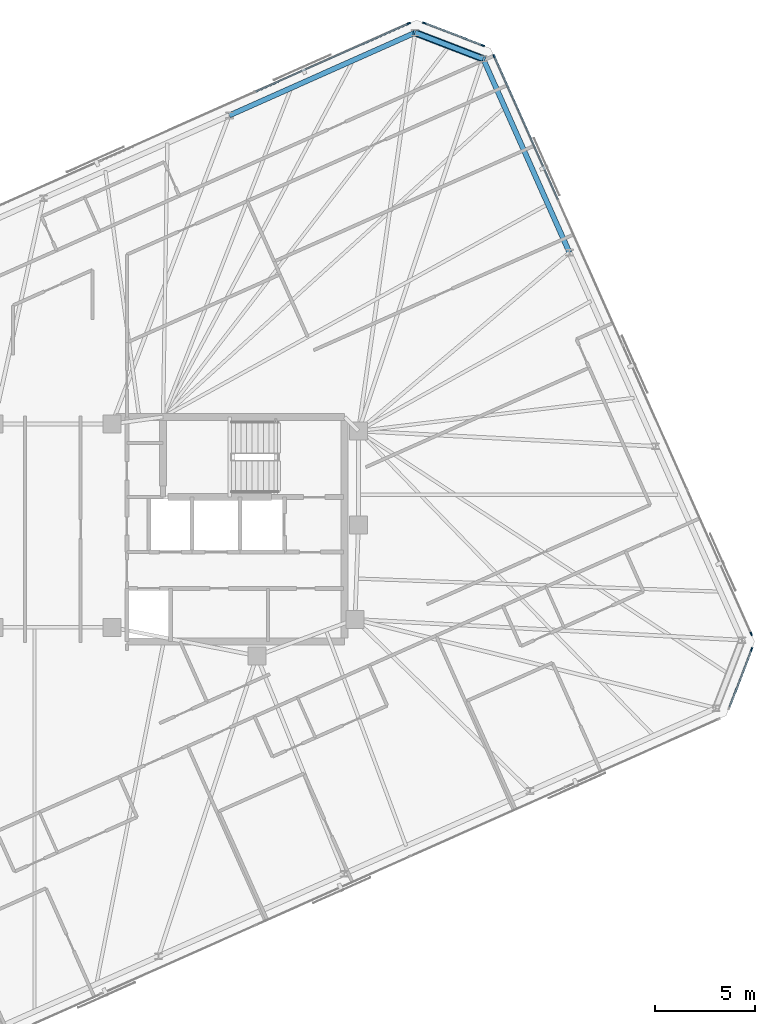
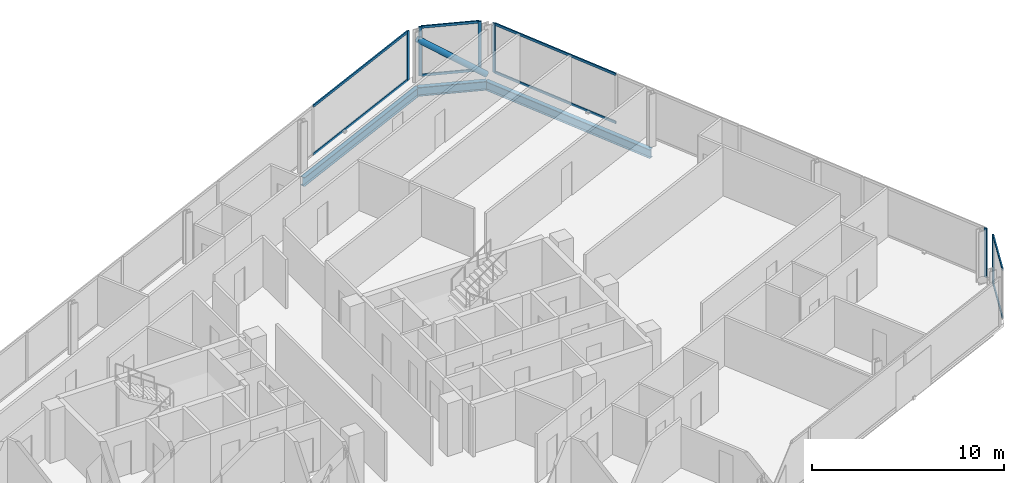
# One storey, part 11 of 19: 15 members, 3 beams, 4 elements without a shape of their own.
"""IFC4 building model written with IfcOpenShell, lengths in metres."""

import ifcopenshell
import ifcopenshell.guid

model = None  # the IFC model being written
_history = None  # IfcOwnerHistory: only IFC2X3 demands one
_inside = {}  # id of a spatial element -> (the spatial element, [elements in it])
_under = {}  # id of a project, library or spatial element -> (it, [spatial elements below it])
_declared = {}  # id of a project -> (the project, [libraries it declares])
_typed = {}  # id of a type object -> (the type object, [elements of that type])
_made_of = {}  # id of a material, layer set ... -> (it, [elements and type objects made of it])


def new_model(schema):
    """Start an empty IFC model of exactly this schema.

    Asked for "IFC4X3", IfcOpenShell would pick the latest addendum, in which some entities
    have other attributes; the version numbers below select the first issue.
    IFC2X3 requires an IfcOwnerHistory on every rooted entity: one is made here for all.
    """
    global model, _history
    if schema == "IFC4X3":
        model = ifcopenshell.file(schema_version=(4, 3, 0, 0))
    else:
        model = ifcopenshell.file(schema=schema)
    _inside.clear()
    _under.clear()
    _declared.clear()
    _typed.clear()
    _made_of.clear()
    _history = None
    if model.schema == "IFC2X3":
        org = make("IfcOrganization", Name="unknown")
        user = make(
            "IfcPersonAndOrganization",
            ThePerson=make("IfcPerson", FamilyName="unknown"),
            TheOrganization=org,
        )
        app = make(
            "IfcApplication",
            ApplicationDeveloper=org,
            Version="unknown",
            ApplicationFullName="unknown",
            ApplicationIdentifier="unknown",
        )
        _history = make(
            "IfcOwnerHistory",
            OwningUser=user,
            OwningApplication=app,
            ChangeAction="ADDED",
            CreationDate=0,
        )
    return model


def make(cls, **values):
    """One entity of the class cls with the attributes given. An attribute that is None is left unset."""
    return model.create_entity(
        cls, **{name: value for name, value in values.items() if value is not None}
    )


def rooted(cls, **values):
    """An entity with a GlobalId (a new one), such as an element, a storey or a relation."""
    return make(cls, GlobalId=ifcopenshell.guid.new(), OwnerHistory=_history, **values)


def si_unit(unit_type, name, prefix=None):
    """IfcSIUnit, for example si_unit("LENGTHUNIT", "METRE", prefix="MILLI")."""
    return make("IfcSIUnit", UnitType=unit_type, Prefix=prefix, Name=name)


def assignment(units):
    """IfcUnitAssignment: the units of a project."""
    return None if units is None else make("IfcUnitAssignment", Units=units)


def point(xyz):
    """IfcCartesianPoint."""
    return None if xyz is None else make("IfcCartesianPoint", Coordinates=xyz)


def direction(xyz):
    """IfcDirection."""
    return None if xyz is None else make("IfcDirection", DirectionRatios=xyz)


def frame(location, z_axis=None, x_axis=None):
    """IfcAxis2Placement3D, a coordinate frame: its origin and axes. An axis left out is left unset."""
    return make(
        "IfcAxis2Placement3D",
        Location=point(location),
        Axis=direction(z_axis),
        RefDirection=direction(x_axis),
    )


def frame_2d(location, x_axis=None):
    """IfcAxis2Placement2D, a coordinate frame in the plane: its origin and x axis."""
    return make(
        "IfcAxis2Placement2D", Location=point(location), RefDirection=direction(x_axis)
    )


def origin():
    """The frame at (0, 0, 0) with its axes left unset."""
    return frame((0.0, 0.0, 0.0))


def origin_2d():
    """The frame at (0, 0) in the plane with its x axis left unset."""
    return frame_2d((0.0, 0.0))


def place(relative_to, where):
    """IfcLocalPlacement: puts the frame where relative to a parent placement (None: the world)."""
    return make(
        "IfcLocalPlacement", PlacementRelTo=relative_to, RelativePlacement=where
    )


def context(
    kind, dimensions, precision=None, world=None, true_north=None, identifier=None
):
    """IfcGeometricRepresentationContext, for example the 3D "Model" context."""
    return make(
        "IfcGeometricRepresentationContext",
        ContextIdentifier=identifier,
        ContextType=kind,
        CoordinateSpaceDimension=dimensions,
        Precision=precision,
        WorldCoordinateSystem=world,
        TrueNorth=true_north,
    )


def subcontext(parent, identifier, kind, view, scale=None):
    """IfcGeometricRepresentationSubContext, for example "Body" below "Model"."""
    return make(
        "IfcGeometricRepresentationSubContext",
        ContextIdentifier=identifier,
        ContextType=kind,
        ParentContext=parent,
        TargetScale=scale,
        TargetView=view,
    )


def project(units=None, contexts=None):
    """IfcProject with its units and contexts."""
    return rooted(
        "IfcProject",
        Name="project",
        RepresentationContexts=contexts,
        UnitsInContext=assignment(units),
    )


def spatial(cls, under=None, at=None, **own):
    """A site, building, storey or space (cls), placed at a placement, below another one or the project."""
    s = rooted(cls, ObjectPlacement=at, **own)
    if under is not None:
        _under.setdefault(under.id(), (under, []))[1].append(s)
    return s


def profile(cls, at=None, kind="AREA", **sizes):
    """A parametric profile (cls). Its sizes go by their IFC names, for example OverallWidth=200.0."""
    return make(cls, ProfileType=kind, Position=at, **sizes)


def rectangle(**sizes):
    """IfcRectangleProfileDef."""
    return profile("IfcRectangleProfileDef", **sizes)


def hollow_circle(**sizes):
    """IfcCircleHollowProfileDef."""
    return profile("IfcCircleHollowProfileDef", **sizes)


def i_section(**sizes):
    """IfcIShapeProfileDef."""
    return profile("IfcIShapeProfileDef", **sizes)


def extrude(swept, where, along, depth):
    """IfcExtrudedAreaSolid: the profile swept, set in the frame where, extruded along a direction by depth."""
    return make(
        "IfcExtrudedAreaSolid",
        SweptArea=swept,
        Position=where,
        ExtrudedDirection=direction(along),
        Depth=depth,
    )


def shape(context_of_items, identifier, shape_type, items):
    """IfcShapeRepresentation: the items that make up one representation, for example the "Body"."""
    return make(
        "IfcShapeRepresentation",
        ContextOfItems=context_of_items,
        RepresentationIdentifier=identifier,
        RepresentationType=shape_type,
        Items=items,
    )


def material(Name=None, Category=None):
    """IfcMaterial."""
    return make("IfcMaterial", Name=Name, Category=Category)


def material_profile(
    of_material, cross_section, Name=None, Category=None, Priority=None
):
    """IfcMaterialProfile: a cross section and its material."""
    return make(
        "IfcMaterialProfile",
        Name=Name,
        Material=of_material,
        Profile=cross_section,
        Priority=Priority,
        Category=Category,
    )


def profile_set(profiles, Name=None, composite=None):
    """IfcMaterialProfileSet."""
    return make(
        "IfcMaterialProfileSet",
        Name=Name,
        MaterialProfiles=profiles,
        CompositeProfile=composite,
    )


def made_of(thing, what):
    """Note that an element or type object is made of a material, layer set ...; save() writes the relation."""
    if what is not None:
        _made_of.setdefault(what.id(), (what, []))[1].append(thing)
    return thing


def type_object(cls, material=None, **own):
    """A type object (cls), such as IfcWallType, which elements share."""
    return made_of(rooted(cls, **own), material)


def element(
    cls,
    number,
    at=None,
    inside=None,
    cuts=None,
    type_object=None,
    material=None,
    context=None,
    identifier="Body",
    shape_type=None,
    held_by="IfcProductDefinitionShape",
    body=None,
    shapes=None,
    **own,
):
    """One element of the class cls, such as IfcWall. Its Tag is "e" and its number.

    at: its placement. inside: the storey or other place that contains it. cuts: it is an
    opening in that element (IfcRelVoidsElement). A single representation is given by context,
    identifier, shape_type and body (its items); several are given by shapes. held_by: the class
    of the entity that holds the representations. save() writes the other relations.
    """
    e = rooted(cls, Tag="e%d" % number, ObjectPlacement=at, **own)
    if body is not None:
        shapes = [shape(context, identifier, shape_type, body)]
    if shapes is not None:
        e.Representation = make(held_by, Representations=shapes)
    if inside is not None:
        _inside.setdefault(inside.id(), (inside, []))[1].append(e)
    if cuts is not None:
        rooted(
            "IfcRelVoidsElement", RelatingBuildingElement=cuts, RelatedOpeningElement=e
        )
    if type_object is not None:
        _typed.setdefault(type_object.id(), (type_object, []))[1].append(e)
    return made_of(e, material)


def aggregate(whole, parts):
    """IfcRelAggregates: a whole, such as a stair, and the parts it consists of."""
    return rooted("IfcRelAggregates", RelatingObject=whole, RelatedObjects=parts)


def save(model, path):
    """Write the relations noted so far, then the file.

    IfcRelAggregates (storeys below a building ...), IfcRelContainedInSpatialStructure (elements
    in a storey), IfcRelDefinesByType, IfcRelAssociatesMaterial and IfcRelDeclares: one each for
    every whole, place, type object, material and project.
    """
    for whole, parts in _under.values():
        aggregate(whole, parts)
    for where, things in _inside.values():
        rooted(
            "IfcRelContainedInSpatialStructure",
            RelatedElements=things,
            RelatingStructure=where,
        )
    for kind, things in _typed.values():
        rooted("IfcRelDefinesByType", RelatedObjects=things, RelatingType=kind)
    for what, things in _made_of.values():
        rooted("IfcRelAssociatesMaterial", RelatedObjects=things, RelatingMaterial=what)
    for by, libraries in _declared.values():
        rooted("IfcRelDeclares", RelatingContext=by, RelatedDefinitions=libraries)
    model.write(path)


model = new_model("IFC4")

# Units and contexts
model_context = context("Model", 3, precision=1e-05, world=origin(), true_north=direction((0.0, 1.0)))
body_context = subcontext(model_context, "Body", "Model", "MODEL_VIEW")
ifc_project = project(units=[si_unit("LENGTHUNIT", "METRE"), si_unit("AREAUNIT", "SQUARE_METRE"), si_unit("VOLUMEUNIT", "CUBIC_METRE"), si_unit("PLANEANGLEUNIT", "RADIAN"), si_unit("MASSUNIT", "GRAM", prefix="KILO")], contexts=[model_context])

# Site, building, storey
site_placement = place(None, origin())
site = spatial("IfcSite", under=ifc_project, at=site_placement, CompositionType="ELEMENT")
building_placement = place(site_placement, origin())
building = spatial("IfcBuilding", under=site, at=building_placement, Name="Menara Jurai Vektor", CompositionType="ELEMENT")
storey_placement = place(building_placement, frame((0.0, 0.0, 268.89990234375)))
storey = spatial("IfcBuildingStorey", under=building, at=storey_placement, Name="L72", CompositionType="ELEMENT", Elevation=268.89990234375)

# Curtain wall, member
ifc_material_1 = material(Name="Anodised Pale Aluminium & Low-E Double Glazing", Category="aluminium")
curtain_wall_type = type_object("IfcCurtainWallType", Name="CW-BLK5", PredefinedType="NOTDEFINED", material=ifc_material_1)
curtain_wall_1_placement = place(storey_placement, origin())
curtain_wall_1 = element("IfcCurtainWall", 1, at=curtain_wall_1_placement, inside=storey, type_object=curtain_wall_type, Name="Unitised Curtain Wall L72 F02", PredefinedType="NOTDEFINED")
ifc_material_2 = material(Name="Anodised Pale Aluminium Mullion", Category="aluminium")
ifc_material_profile_1 = material_profile(ifc_material_2, rectangle(XDim=0.074951171875, YDim=0.175048828125, at=origin_2d()), Name="ALU MUL 75x175")
ifc_profile_set_1 = profile_set([ifc_material_profile_1], Name="Anodised Pale Aluminium Mullion")
member_type_1 = type_object("IfcMemberType", Name="CW-BLK5-MUL", PredefinedType="MULLION", material=ifc_profile_set_1)
member_1_placement = place(storey_placement, frame((34.87548828125, -5.997314453125, 0.0), z_axis=(0.0, 0.0, 1.0), x_axis=(-0.933578193639, 0.358373766287, 0.0)))
member_1 = element("IfcMember", 2, at=member_1_placement, type_object=member_type_1, Name="CW-05 mullion 2", PredefinedType="MULLION", context=body_context, shape_type="SweptSolid", body=[
    extrude(rectangle(XDim=0.074951171875, YDim=0.175048828125, at=origin_2d()), origin(), (0.0, 0.0, 1.0), 3.125),
])

# Curtain wall, members
curtain_wall_2_placement = place(storey_placement, origin())
curtain_wall_2 = element("IfcCurtainWall", 3, at=curtain_wall_2_placement, inside=storey, type_object=curtain_wall_type, Name="Unitised Curtain Wall L72 F03", PredefinedType="NOTDEFINED")
member_2_placement = place(storey_placement, frame((34.85546875, -5.22607421875, 0.0), z_axis=(0.0, 0.0, 1.0), x_axis=(-0.913546127706, -0.406735138086, 0.0)))
member_2 = element("IfcMember", 4, at=member_2_placement, type_object=member_type_1, Name="CW-05 mullion 1", PredefinedType="MULLION", context=body_context, shape_type="SweptSolid", body=[
    extrude(rectangle(XDim=0.074951171875, YDim=0.175048828125, at=origin_2d()), origin(), (0.0, 0.0, 1.0), 3.125),
])
member_3_placement = place(storey_placement, frame((22.016845703125, 23.610107421875, 0.0), z_axis=(0.0, 0.0, 1.0), x_axis=(-0.913546127706, -0.406735138086, 0.0)))
member_3 = element("IfcMember", 5, at=member_3_placement, type_object=member_type_1, Name="CW-05 mullion 5", PredefinedType="MULLION", context=body_context, shape_type="SweptSolid", body=[
    extrude(rectangle(XDim=0.074951171875, YDim=0.175048828125, at=origin_2d()), origin(), (0.0, 0.0, 1.0), 3.125),
])

curtain_wall_3_placement = place(storey_placement, origin())
curtain_wall_3 = element("IfcCurtainWall", 6, at=curtain_wall_3_placement, inside=storey, type_object=curtain_wall_type, Name="Unitised Curtain Wall L72 F04", PredefinedType="NOTDEFINED")
member_4_placement = place(storey_placement, frame((21.45703125, 24.14111328125, 0.0), z_axis=(0.0, 0.0, 1.0), x_axis=(-0.358373766287, -0.933578193639, 0.0)))
member_4 = element("IfcMember", 7, at=member_4_placement, type_object=member_type_1, Name="CW-05 mullion 1", PredefinedType="MULLION", context=body_context, shape_type="SweptSolid", body=[
    extrude(rectangle(XDim=0.074951171875, YDim=0.175048828125, at=origin_2d()), origin(), (0.0, 0.0, 1.0), 3.125),
])
member_5_placement = place(storey_placement, frame((18.539794921875, 25.2607421875, 0.0), z_axis=(0.0, 0.0, 1.0), x_axis=(-0.358373766287, -0.933578193639, 0.0)))
member_5 = element("IfcMember", 8, at=member_5_placement, type_object=member_type_1, Name="CW-05 mullion 2", PredefinedType="MULLION", context=body_context, shape_type="SweptSolid", body=[
    extrude(rectangle(XDim=0.074951171875, YDim=0.175048828125, at=origin_2d()), origin(), (0.0, 0.0, 1.0), 3.125),
])

# Curtain wall, member
curtain_wall_4_placement = place(storey_placement, origin())
curtain_wall_4 = element("IfcCurtainWall", 9, at=curtain_wall_4_placement, inside=storey, type_object=curtain_wall_type, Name="Unitised Curtain Wall L72 F05", PredefinedType="NOTDEFINED")
member_6_placement = place(storey_placement, frame((17.768798828125, 25.24072265625, 0.0), z_axis=(0.0, 0.0, 1.0), x_axis=(0.406735498684, -0.913545967158, 0.0)))
member_6 = element("IfcMember", 10, at=member_6_placement, type_object=member_type_1, Name="CW-05 mullion 1", PredefinedType="MULLION", context=body_context, shape_type="SweptSolid", body=[
    extrude(rectangle(XDim=0.074951171875, YDim=0.175048828125, at=origin_2d()), origin(), (0.0, 0.0, 1.0), 3.125),
])

# Member
ifc_material_3 = material(Name="Anodised Pale Aluminium Transom", Category="aluminium")
ifc_material_profile_2 = material_profile(ifc_material_3, rectangle(XDim=0.074951171875, YDim=0.155029296875, at=origin_2d()), Name="ALU TRN 75x155")
ifc_profile_set_2 = profile_set([ifc_material_profile_2], Name="Anodised Pale Aluminium Transom")
member_type_2 = type_object("IfcMemberType", Name="CW-BLK5-TRN", PredefinedType="USERDEFINED", material=ifc_profile_set_2)
member_7_placement = place(storey_placement, frame((33.769287109375, -8.87939453125, 0.03759765625), z_axis=(0.358324523823, 0.933597094911, 0.0), x_axis=(-0.933597094911, 0.358324523823, 0.0)))
member_7 = element("IfcMember", 11, at=member_7_placement, type_object=member_type_2, Name="CW-05 transom 1.1", ObjectType="TRANSOM", PredefinedType="USERDEFINED", context=body_context, shape_type="SweptSolid", body=[
    extrude(rectangle(XDim=0.074951171875, YDim=0.155029296875, at=origin_2d()), origin(), (0.0, 0.0, 1.0), 3.049560546875),
])

member_8_placement = place(storey_placement, frame((33.769287109375, -8.87939453125, 3.087646484375), z_axis=(0.358324523823, 0.933597094911, 0.0), x_axis=(-0.933597094911, 0.358324523823, 0.0)))
member_8 = element("IfcMember", 12, at=member_8_placement, type_object=member_type_2, Name="CW-05 transom 1.2", ObjectType="TRANSOM", PredefinedType="USERDEFINED", context=body_context, shape_type="SweptSolid", body=[
    extrude(rectangle(XDim=0.074951171875, YDim=0.155029296875, at=origin_2d()), origin(), (0.0, 0.0, 1.0), 3.049560546875),
])

aggregate(curtain_wall_1, [member_1, member_7, member_8])

member_9_placement = place(storey_placement, frame((25.20361328125, 16.452392578125, 0.03759765625), z_axis=(-0.406751345283, 0.913538911656, 0.0), x_axis=(-0.913538911656, -0.406751345283, 0.0)))
member_9 = element("IfcMember", 13, at=member_9_placement, type_object=member_type_2, Name="CW-05 transom 4.1", ObjectType="TRANSOM", PredefinedType="USERDEFINED", context=body_context, shape_type="SweptSolid", body=[
    extrude(rectangle(XDim=0.074951171875, YDim=0.155029296875, at=origin_2d()), origin(), (0.0, 0.0, 1.0), 7.79736328125),
])

member_10_placement = place(storey_placement, frame((25.20361328125, 16.452392578125, 3.087646484375), z_axis=(-0.406751345283, 0.913538911656, 0.0), x_axis=(-0.913538911656, -0.406751345283, 0.0)))
member_10 = element("IfcMember", 14, at=member_10_placement, type_object=member_type_2, Name="CW-05 transom 4.2", ObjectType="TRANSOM", PredefinedType="USERDEFINED", context=body_context, shape_type="SweptSolid", body=[
    extrude(rectangle(XDim=0.074951171875, YDim=0.155029296875, at=origin_2d()), origin(), (0.0, 0.0, 1.0), 7.79736328125),
])

aggregate(curtain_wall_2, [member_2, member_3, member_9, member_10])

member_11_placement = place(storey_placement, frame((21.422119140625, 24.154541015625, 0.03759765625), z_axis=(-0.933597094911, 0.358324523823, 0.0), x_axis=(-0.358324523823, -0.933597094911, 0.0)))
member_11 = element("IfcMember", 15, at=member_11_placement, type_object=member_type_2, Name="CW-05 transom 1.1", ObjectType="TRANSOM", PredefinedType="USERDEFINED", context=body_context, shape_type="SweptSolid", body=[
    extrude(rectangle(XDim=0.074951171875, YDim=0.155029296875, at=origin_2d()), origin(), (0.0, 0.0, 1.0), 3.049560546875),
])

member_12_placement = place(storey_placement, frame((21.422119140625, 24.154541015625, 3.087646484375), z_axis=(-0.933597094911, 0.358324523823, 0.0), x_axis=(-0.358324523823, -0.933597094911, 0.0)))
member_12 = element("IfcMember", 16, at=member_12_placement, type_object=member_type_2, Name="CW-05 transom 1.2", ObjectType="TRANSOM", PredefinedType="USERDEFINED", context=body_context, shape_type="SweptSolid", body=[
    extrude(rectangle(XDim=0.074951171875, YDim=0.155029296875, at=origin_2d()), origin(), (0.0, 0.0, 1.0), 3.049560546875),
])

aggregate(curtain_wall_3, [member_4, member_5, member_11, member_12])

member_13_placement = place(storey_placement, frame((17.734375, 25.225341796875, 0.03759765625), z_axis=(-0.913549007168, -0.406728670618, 0.0), x_axis=(0.406728670618, -0.913549007168, 0.0)))
member_13 = element("IfcMember", 17, at=member_13_placement, type_object=member_type_2, Name="CW-05 transom 1.1", ObjectType="TRANSOM", PredefinedType="USERDEFINED", context=body_context, shape_type="SweptSolid", body=[
    extrude(rectangle(XDim=0.074951171875, YDim=0.155029296875, at=origin_2d()), origin(), (0.0, 0.0, 1.0), 8.327392578125),
])

member_14_placement = place(storey_placement, frame((17.734375, 25.225341796875, 3.087646484375), z_axis=(-0.913549007168, -0.406728670618, 0.0), x_axis=(0.406728670618, -0.913549007168, 0.0)))
member_14 = element("IfcMember", 18, at=member_14_placement, type_object=member_type_2, Name="CW-05 transom 1.2", ObjectType="TRANSOM", PredefinedType="USERDEFINED", context=body_context, shape_type="SweptSolid", body=[
    extrude(rectangle(XDim=0.074951171875, YDim=0.155029296875, at=origin_2d()), origin(), (0.0, 0.0, 1.0), 8.327392578125),
])

aggregate(curtain_wall_4, [member_6, member_13, member_14])

ifc_material_4 = material(Name="Steel S460", Category="steel")
ifc_material_profile_3 = material_profile(ifc_material_4, hollow_circle(Radius=0.177734375, WallThickness=0.01611328125, at=origin_2d()), Name="CHS 355.6x16")
ifc_profile_set_3 = profile_set([ifc_material_profile_3], Name="Steel S460")
member_type_3 = type_object("IfcMemberType", Name="STR-BR-356", PredefinedType="BRACE", material=ifc_profile_set_3)
member_15_placement = place(storey_placement, frame((21.4755859375, 23.473388671875, 0.150146484375), z_axis=(-0.757042028889, 0.2906257681, 0.585170085882), x_axis=(-0.358394346877, -0.933570293083, 0.0)))
element("IfcMember", 19, at=member_15_placement, inside=storey, type_object=member_type_3, Name="Exoskeleton Corner Brace L72-2", PredefinedType="BRACE", context=body_context, shape_type="SweptSolid", body=[
    extrude(hollow_circle(Radius=0.177734375, WallThickness=0.01611328125, at=origin_2d()), origin(), (0.0, 0.0, 1.0), 4.48583984375),
])

# Beams
ifc_material_5 = material(Name="Steel S355", Category="steel")
ifc_material_profile_4 = material_profile(ifc_material_5, i_section(OverallWidth=0.260009765625, OverallDepth=0.570068359375, WebThickness=0.013916015625, FlangeThickness=0.02392578125, at=origin_2d()), Name="PG 570x260x145")
ifc_profile_set_4 = profile_set([ifc_material_profile_4], Name="Steel S355")
beam_type = type_object("IfcBeamType", Name="STR-SP-570", PredefinedType="SPANDREL", material=ifc_profile_set_4)
beam_1_placement = place(storey_placement, frame((25.781005859375, 13.80322265625, -0.510009765625), z_axis=(-0.40673543049, 0.91354599752, 0.0), x_axis=(-0.91354599752, -0.40673543049, 0.0)))
element("IfcBeam", 20, at=beam_1_placement, inside=storey, type_object=beam_type, Name="Exoskeleton Spandrel Beam L72-09", PredefinedType="SPANDREL", context=body_context, shape_type="SweptSolid", body=[
    extrude(i_section(OverallWidth=0.260009765625, OverallDepth=0.570068359375, WebThickness=0.013916015625, FlangeThickness=0.02392578125, at=origin_2d()), origin(), (0.0, 0.0, 1.0), 10.585205078125),
])
beam_2_placement = place(storey_placement, frame((21.4755859375, 23.473388671875, -0.510009765625), z_axis=(-0.933570293083, 0.358394346877, 0.0), x_axis=(-0.358394346877, -0.933570293083, 0.0)))
element("IfcBeam", 21, at=beam_2_placement, inside=storey, type_object=beam_type, Name="Exoskeleton Spandrel Beam L72-10", PredefinedType="SPANDREL", context=body_context, shape_type="SweptSolid", body=[
    extrude(i_section(OverallWidth=0.260009765625, OverallDepth=0.570068359375, WebThickness=0.013916015625, FlangeThickness=0.02392578125, at=origin_2d()), origin(), (0.0, 0.0, 1.0), 3.6376953125),
])
beam_3_placement = place(storey_placement, frame((18.07958984375, 24.777099609375, -0.510009765625), z_axis=(-0.913545561407, -0.406736410017, 0.0), x_axis=(0.406736410017, -0.913545561407, 0.0)))
element("IfcBeam", 22, at=beam_3_placement, inside=storey, type_object=beam_type, Name="Exoskeleton Spandrel Beam L72-11", PredefinedType="SPANDREL", context=body_context, shape_type="SweptSolid", body=[
    extrude(i_section(OverallWidth=0.260009765625, OverallDepth=0.570068359375, WebThickness=0.013916015625, FlangeThickness=0.02392578125, at=origin_2d()), origin(), (0.0, 0.0, 1.0), 10.1513671875),
])

save(model, "model.ifc")
